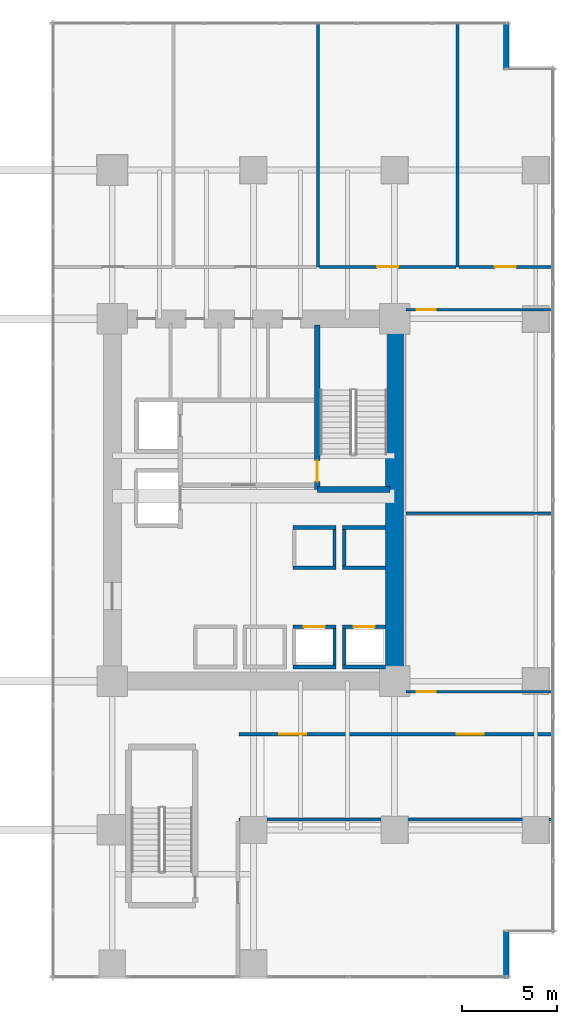
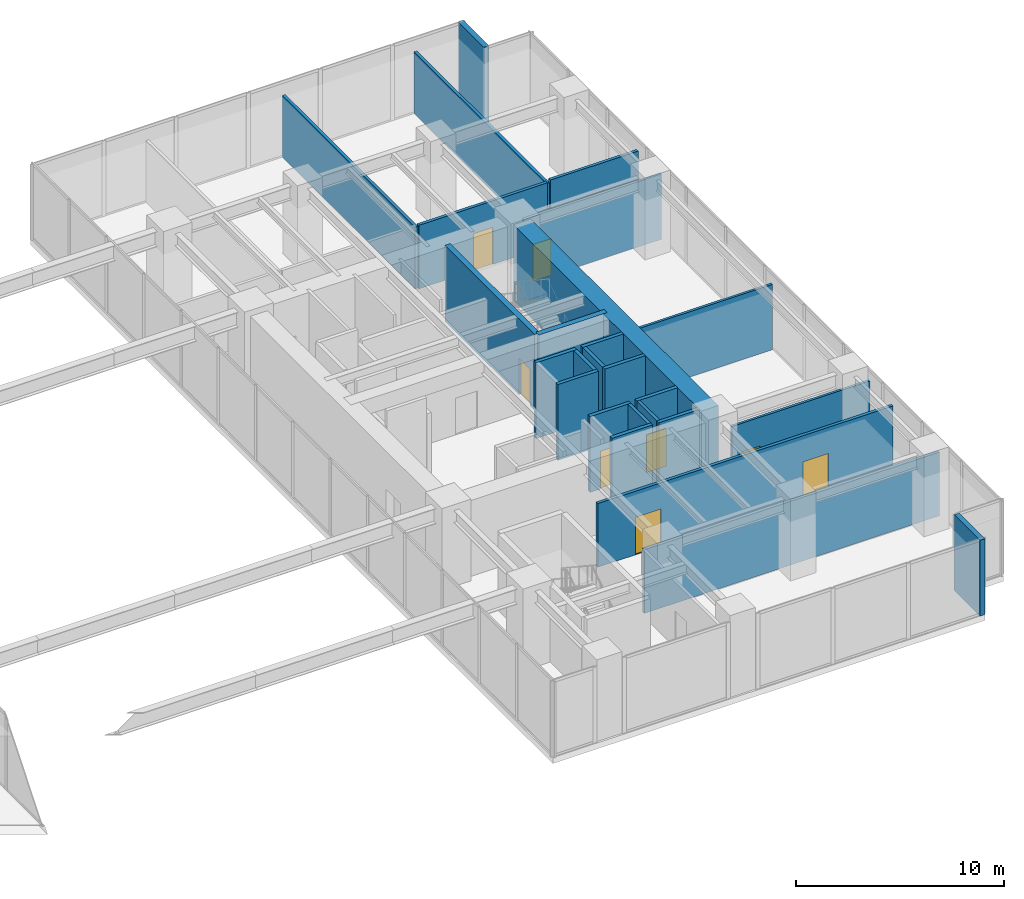
# One storey, part 33 of 39: 26 walls, 9 doors, 9 openings.
"""IFC4 building model written with IfcOpenShell, lengths in metres."""

from ifc_helpers import new_model, si_unit, direction, frame, frame_2d, origin, place, context, subcontext, project, spatial, rectangle, extrude, source, transform, mapped, material, layer, layer_set, type_object, type_shapes, element, fill, save


model = new_model("IFC4")

# Units and contexts
model_context = context("Model", 3, precision=1e-05, world=origin(), true_north=direction((0.0, 1.0)))
body_context = subcontext(model_context, "Body", "Model", "MODEL_VIEW")
ifc_project = project(units=[si_unit("LENGTHUNIT", "METRE"), si_unit("AREAUNIT", "SQUARE_METRE"), si_unit("VOLUMEUNIT", "CUBIC_METRE"), si_unit("PLANEANGLEUNIT", "RADIAN"), si_unit("MASSUNIT", "GRAM", prefix="KILO")], contexts=[model_context])

# Site, building, storey
site_placement = place(None, origin())
site = spatial("IfcSite", under=ifc_project, at=site_placement, CompositionType="ELEMENT")
building_placement = place(site_placement, origin())
building = spatial("IfcBuilding", under=site, at=building_placement, Name="Haelvirn Gate Laboratories", CompositionType="ELEMENT")
storey_placement = place(building_placement, frame((0.0, 0.0, 15.0)))
storey = spatial("IfcBuildingStorey", under=building, at=storey_placement, Name="L04", CompositionType="ELEMENT", Elevation=15.0)

# Walls
ifc_material_1 = material(Name="Thermally-broken bronze aluminium rainscreen & mineral wool", Category="aluminium")
ifc_layer_1 = layer(ifc_material_1, 0.280029296875, Name="EW-TERR-280")
ifc_layer_set_1 = layer_set([ifc_layer_1], Name="Thermally-broken bronze aluminium rainscreen & mineral wool")
wall_type_1 = type_object("IfcWallType", Name="EW-TERR-280", PredefinedType="STANDARD", material=ifc_layer_set_1)
wall_1_placement = place(storey_placement, frame((73.260009765625, -0.800048828125, 0.0), z_axis=(0.0, 0.0, 1.0), x_axis=(0.0, 1.0, 0.0)))
element("IfcWall", 1, at=wall_1_placement, inside=storey, type_object=wall_type_1, Name="L04 Atrium Recess Bronze Return Wall 01", PredefinedType="STANDARD", context=body_context, shape_type="SweptSolid", body=[
    extrude(rectangle(XDim=2.488037109375, YDim=0.280029296875, at=frame_2d((1.244140625, 0.0))), origin(), (0.0, 0.0, 1.0), 4.449951171875),
])
wall_2_placement = place(storey_placement, frame((73.260009765625, 46.912109375, 0.0), z_axis=(0.0, 0.0, 1.0), x_axis=(0.0, 1.0, 0.0)))
element("IfcWall", 2, at=wall_2_placement, inside=storey, type_object=wall_type_1, Name="L04 Atrium Recess Bronze Return Wall 05", PredefinedType="STANDARD", context=body_context, shape_type="SweptSolid", body=[
    extrude(rectangle(XDim=2.48779296875, YDim=0.280029296875, at=frame_2d((1.243896484375, 0.0))), origin(), (0.0, 0.0, 1.0), 4.449951171875),
])
ifc_material_2 = material(Name="Fire-rated acoustic gypsum board partition", Category="gypsum")
ifc_layer_2 = layer(ifc_material_2, 0.175048828125, Name="IW-ACOUST-180")
ifc_layer_set_2 = layer_set([ifc_layer_2], Name="Fire-rated acoustic gypsum board partition")
wall_type_2 = type_object("IfcWallType", Name="IW-ACOUST-180", PredefinedType="PARTITIONING", material=ifc_layer_set_2)
wall_3_placement = place(storey_placement, frame((59.25, 7.550048828125, 0.0), z_axis=(0.0, 0.0, 1.0), x_axis=(1.0, 0.0, 0.0)))
element("IfcWall", 3, at=wall_3_placement, inside=storey, type_object=wall_type_2, Name="L04 Interior Wall IW-L04-AUD-DIV", PredefinedType="PARTITIONING", context=body_context, shape_type="SweptSolid", body=[
    extrude(rectangle(XDim=16.39990234375, YDim=0.175048828125, at=frame_2d((8.199951171875, 0.0))), origin(), (0.0, 0.0, 1.0), 3.735107421875),
])

# Wall, openings, doors
wall_4_placement = place(storey_placement, frame((59.25, 12.02001953125, 0.0), z_axis=(0.0, 0.0, 1.0), x_axis=(1.0, 0.0, 0.0)))
wall_4 = element("IfcWall", 4, at=wall_4_placement, inside=storey, type_object=wall_type_2, Name="L04 Interior Wall IW-L04-AUD-N", PredefinedType="PARTITIONING", context=body_context, shape_type="SweptSolid", body=[
    extrude(rectangle(XDim=16.39990234375, YDim=0.175048828125, at=frame_2d((8.199951171875, 0.0))), origin(), (0.0, 0.0, 1.0), 3.735107421875),
])
opening_1_placement = place(wall_4_placement, frame((2.10009765625, 0.0, 0.0)))
opening_1 = element("IfcOpeningElement", 5, at=opening_1_placement, cuts=wall_4, Name="Opening FD1", PredefinedType="OPENING", context=body_context, shape_type="SweptSolid", body=[
    extrude(rectangle(XDim=1.419921875, YDim=2.199951171875, at=frame_2d((0.7099609375, 1.10009765625))), frame((0.0, 0.09765625, 0.0), z_axis=(0.0, -1.0, 0.0), x_axis=(1.0, 0.0, 0.0)), (0.0, 0.0, 1.0), 0.195068359375),
])
opening_2_placement = place(wall_4_placement, frame((11.39990234375, 0.0, 0.0)))
opening_2 = element("IfcOpeningElement", 6, at=opening_2_placement, cuts=wall_4, Name="Opening FD1", PredefinedType="OPENING", context=body_context, shape_type="SweptSolid", body=[
    extrude(rectangle(XDim=1.419921875, YDim=2.199951171875, at=frame_2d((0.7099609375, 1.10009765625))), frame((0.0, 0.09765625, 0.0), z_axis=(0.0, -1.0, 0.0), x_axis=(1.0, 0.0, 0.0)), (0.0, 0.0, 1.0), 0.195068359375),
])
ifc_material_3 = material(Name="Fire-rated double steel SM355 lobby door", Category="steel")
door_type_1 = type_object("IfcDoorType", Name="DR-FD-1400", OperationType="NOTDEFINED", PredefinedType="DOOR", material=ifc_material_3)
shared_shape_1 = source(origin(), body_context, "Body", "SweptSolid", [
    extrude(rectangle(XDim=1.419921875, YDim=2.199951171875, at=frame_2d((0.7099609375, 1.10009765625))), frame((0.0, 0.02490234375, 0.0), z_axis=(0.0, -1.0, 0.0), x_axis=(1.0, 0.0, 0.0)), (0.0, 0.0, 1.0), 0.050048828125),
])
type_shapes(door_type_1, [shared_shape_1])
door_1_placement = place(opening_1_placement, origin())
door_1 = element("IfcDoor", 7, at=door_1_placement, inside=storey, type_object=door_type_1, Name="L04 Symposium Auditorium West Exit Door", OperationType="DOUBLE_DOOR_SINGLE_SWING", OverallHeight=2.199951171875, OverallWidth=1.419921875, PredefinedType="DOOR", context=body_context, shape_type="MappedRepresentation", body=[
    mapped(shared_shape_1, transform((0.0, 0.0, 0.0), scale=1.0)),
])
fill(opening_1, door_1)
door_2_placement = place(opening_2_placement, origin())
door_2 = element("IfcDoor", 8, at=door_2_placement, inside=storey, type_object=door_type_1, Name="L04 Symposium Auditorium East Exit Door", OperationType="DOUBLE_DOOR_SINGLE_SWING", OverallHeight=2.199951171875, OverallWidth=1.419921875, PredefinedType="DOOR", context=body_context, shape_type="MappedRepresentation", body=[
    mapped(shared_shape_1, transform((0.0, 0.0, 0.0), scale=1.0)),
])
fill(opening_2, door_2)

# Wall
ifc_material_4 = material(Name="Acoustic mineral-wool gypsum board partition", Category="gypsum")
ifc_layer_3 = layer(ifc_material_4, 0.139892578125, Name="IW-PART-140")
ifc_layer_set_3 = layer_set([ifc_layer_3], Name="Acoustic mineral-wool gypsum board partition")
wall_type_3 = type_object("IfcWallType", Name="IW-PART-140", PredefinedType="PARTITIONING", material=ifc_layer_set_3)
wall_5_placement = place(storey_placement, frame((68.0, 23.60009765625, 0.0), z_axis=(0.0, 0.0, 1.0), x_axis=(1.0, 0.0, 0.0)))
element("IfcWall", 9, at=wall_5_placement, inside=storey, type_object=wall_type_3, Name="L04 Interior Wall IW-L04-PODOUT-MID-E", PredefinedType="PARTITIONING", context=body_context, shape_type="SweptSolid", body=[
    extrude(rectangle(XDim=7.64990234375, YDim=0.139892578125, at=frame_2d((3.824951171875, 0.0))), origin(), (0.0, 0.0, 1.0), 3.8349609375),
])

# Wall, opening, door
wall_6_placement = place(storey_placement, frame((68.0, 14.25, 0.0), z_axis=(0.0, 0.0, 1.0), x_axis=(1.0, 0.0, 0.0)))
wall_6 = element("IfcWall", 10, at=wall_6_placement, inside=storey, type_object=wall_type_3, Name="L04 Interior Wall IW-L04-PODOUTW-E-S", PredefinedType="PARTITIONING", context=body_context, shape_type="SweptSolid", body=[
    extrude(rectangle(XDim=7.64990234375, YDim=0.139892578125, at=frame_2d((3.824951171875, 0.0))), origin(), (0.0, 0.0, 1.0), 3.8349609375),
])
opening_3_placement = place(wall_6_placement, frame((0.550048828125, 0.0, 0.0)))
opening_3 = element("IfcOpeningElement", 11, at=opening_3_placement, cuts=wall_6, Name="Opening D2", PredefinedType="OPENING", context=body_context, shape_type="SweptSolid", body=[
    extrude(rectangle(XDim=1.0, YDim=2.14990234375, at=frame_2d((0.5, 1.074951171875))), frame((0.0, 0.080078125, 0.0), z_axis=(0.0, -1.0, 0.0), x_axis=(1.0, 0.0, 0.0)), (0.0, 0.0, 1.0), 0.159912109375),
])
ifc_material_5 = material(Name="Acoustic solid-core timber suite door", Category="wood")
door_type_2 = type_object("IfcDoorType", Name="DR-INT-1000", OperationType="NOTDEFINED", PredefinedType="DOOR", material=ifc_material_5)
shared_shape_2 = source(origin(), body_context, "Body", "SweptSolid", [
    extrude(rectangle(XDim=1.0, YDim=2.14990234375, at=frame_2d((0.5, 1.074951171875))), frame((0.0, 0.02490234375, 0.0), z_axis=(0.0, -1.0, 0.0), x_axis=(1.0, 0.0, 0.0)), (0.0, 0.0, 1.0), 0.050048828125),
])
type_shapes(door_type_2, [shared_shape_2])
door_3_placement = place(opening_3_placement, origin())
door_3 = element("IfcDoor", 12, at=door_3_placement, inside=storey, type_object=door_type_2, Name="L04 Chemical Synthesis Laboratory Outer Wing Door", OperationType="SINGLE_SWING_LEFT", OverallHeight=2.14990234375, OverallWidth=1.0, PredefinedType="DOOR", context=body_context, shape_type="MappedRepresentation", body=[
    mapped(shared_shape_2, transform((0.0, 0.0, 0.0), scale=1.0)),
])
fill(opening_3, door_3)

wall_7_placement = place(storey_placement, frame((68.0, 34.280029296875, 0.0), z_axis=(0.0, 0.0, 1.0), x_axis=(1.0, 0.0, 0.0)))
wall_7 = element("IfcWall", 13, at=wall_7_placement, inside=storey, type_object=wall_type_3, Name="L04 Interior Wall IW-L04-PODOUTW-E-N", PredefinedType="PARTITIONING", context=body_context, shape_type="SweptSolid", body=[
    extrude(rectangle(XDim=7.64990234375, YDim=0.139892578125, at=frame_2d((3.824951171875, 0.0))), origin(), (0.0, 0.0, 1.0), 3.8349609375),
])
opening_4_placement = place(wall_7_placement, frame((0.550048828125, 0.0, 0.0)))
opening_4 = element("IfcOpeningElement", 14, at=opening_4_placement, cuts=wall_7, Name="Opening D2", PredefinedType="OPENING", context=body_context, shape_type="SweptSolid", body=[
    extrude(rectangle(XDim=1.0, YDim=2.14990234375, at=frame_2d((0.5, 1.074951171875))), frame((0.0, 0.080078125, 0.0), z_axis=(0.0, -1.0, 0.0), x_axis=(1.0, 0.0, 0.0)), (0.0, 0.0, 1.0), 0.159912109375),
])
door_4_placement = place(opening_4_placement, origin())
door_4 = element("IfcDoor", 15, at=door_4_placement, inside=storey, type_object=door_type_2, Name="L04 Computational Write-Up Office Outer Wing Door", OperationType="SINGLE_SWING_RIGHT", OverallHeight=2.14990234375, OverallWidth=1.0, PredefinedType="DOOR", context=body_context, shape_type="MappedRepresentation", body=[
    mapped(shared_shape_2, transform((0.0, 0.0, 0.0), scale=1.0)),
])
fill(opening_4, door_4)

# Wall
ifc_material_6 = material(Name="Moisture-resistant gypsum laboratory partition", Category="gypsum")
ifc_layer_4 = layer(ifc_material_6, 0.1650390625, Name="IW-PART-160")
ifc_layer_set_4 = layer_set([ifc_layer_4], Name="Moisture-resistant gypsum laboratory partition")
wall_type_4 = type_object("IfcWallType", Name="IW-PART-160", PredefinedType="PARTITIONING", material=ifc_layer_set_4)
wall_8_placement = place(storey_placement, frame((63.383056640625, 36.52001953125, 0.0), z_axis=(0.0, 0.0, 1.0), x_axis=(0.0, 1.0, 0.0)))
element("IfcWall", 16, at=wall_8_placement, inside=storey, type_object=wall_type_4, Name="L04 Interior Wall IW-L04-PODNDIV-E-2", PredefinedType="PARTITIONING", context=body_context, shape_type="SweptSolid", body=[
    extrude(rectangle(XDim=12.77001953125, YDim=0.1650390625, at=frame_2d((6.385009765625, 0.0))), origin(), (0.0, 0.0, 1.0), 3.635009765625),
])

# Wall, opening, door
wall_9_placement = place(storey_placement, frame((63.462890625, 36.52001953125, 0.0), z_axis=(0.0, 0.0, 1.0), x_axis=(1.0, 0.0, 0.0)))
wall_9 = element("IfcWall", 17, at=wall_9_placement, inside=storey, type_object=wall_type_4, Name="L04 Interior Wall IW-L04-PODN-E-3", PredefinedType="PARTITIONING", context=body_context, shape_type="SweptSolid", body=[
    extrude(rectangle(XDim=7.148193359375, YDim=0.1650390625, at=frame_2d((3.57421875, 0.0))), origin(), (0.0, 0.0, 1.0), 3.735107421875),
])
opening_5_placement = place(wall_9_placement, frame((3.02392578125, 0.0, 0.0)))
opening_5 = element("IfcOpeningElement", 18, at=opening_5_placement, cuts=wall_9, Name="Opening D1", PredefinedType="OPENING", context=body_context, shape_type="SweptSolid", body=[
    extrude(rectangle(XDim=1.10009765625, YDim=2.179931640625, at=frame_2d((0.550048828125, 1.08984375))), frame((0.0, 0.092529296875, 0.0), z_axis=(0.0, -1.0, 0.0), x_axis=(1.0, 0.0, 0.0)), (0.0, 0.0, 1.0), 0.18505859375),
])
ifc_material_7 = material(Name="Vision-panel acoustic solid-core timber lab door", Category="wood")
door_type_3 = type_object("IfcDoorType", Name="DR-LAB-1100", OperationType="NOTDEFINED", PredefinedType="DOOR", material=ifc_material_7)
shared_shape_3 = source(origin(), body_context, "Body", "SweptSolid", [
    extrude(rectangle(XDim=1.10009765625, YDim=2.179931640625, at=frame_2d((0.550048828125, 1.08984375))), frame((0.0, 0.02490234375, 0.0), z_axis=(0.0, -1.0, 0.0), x_axis=(1.0, 0.0, 0.0)), (0.0, 0.0, 1.0), 0.050048828125),
])
type_shapes(door_type_3, [shared_shape_3])
door_5_placement = place(opening_5_placement, origin())
door_5 = element("IfcDoor", 19, at=door_5_placement, inside=storey, type_object=door_type_3, Name="L04 Computational Write-Up Office North Door", OperationType="SINGLE_SWING_RIGHT", OverallHeight=2.179931640625, OverallWidth=1.10009765625, PredefinedType="DOOR", context=body_context, shape_type="MappedRepresentation", body=[
    mapped(shared_shape_3, transform((0.0, 0.0, 0.0), scale=1.0)),
])
fill(opening_5, door_5)

# Wall
wall_10_placement = place(storey_placement, frame((70.69091796875, 36.52001953125, 0.0), z_axis=(0.0, 0.0, 1.0), x_axis=(0.0, 1.0, 0.0)))
element("IfcWall", 20, at=wall_10_placement, inside=storey, type_object=wall_type_4, Name="L04 Interior Wall IW-L04-PODNDIV-E-3", PredefinedType="PARTITIONING", context=body_context, shape_type="SweptSolid", body=[
    extrude(rectangle(XDim=12.77001953125, YDim=0.1650390625, at=frame_2d((6.385009765625, 0.0))), origin(), (0.0, 0.0, 1.0), 3.635009765625),
])

# Wall, opening, door
wall_11_placement = place(storey_placement, frame((70.77099609375, 36.52001953125, 0.0), z_axis=(0.0, 0.0, 1.0), x_axis=(1.0, 0.0, 0.0)))
wall_11 = element("IfcWall", 21, at=wall_11_placement, inside=storey, type_object=wall_type_4, Name="L04 Interior Wall IW-L04-PODN-E-4", PredefinedType="PARTITIONING", context=body_context, shape_type="SweptSolid", body=[
    extrude(rectangle(XDim=4.87890625, YDim=0.1650390625, at=frame_2d((2.439453125, 0.0))), origin(), (0.0, 0.0, 1.0), 3.8349609375),
])
opening_6_placement = place(wall_11_placement, frame((1.889404296875, 0.0, 0.0)))
opening_6 = element("IfcOpeningElement", 22, at=opening_6_placement, cuts=wall_11, Name="Opening D1", PredefinedType="OPENING", context=body_context, shape_type="SweptSolid", body=[
    extrude(rectangle(XDim=1.10009765625, YDim=2.179931640625, at=frame_2d((0.550048828125, 1.08984375))), frame((0.0, 0.092529296875, 0.0), z_axis=(0.0, -1.0, 0.0), x_axis=(1.0, 0.0, 0.0)), (0.0, 0.0, 1.0), 0.18505859375),
])
door_6_placement = place(opening_6_placement, origin())
door_6 = element("IfcDoor", 23, at=door_6_placement, inside=storey, type_object=door_type_3, Name="L04 Research Seminar & Review Room North Door", OperationType="SINGLE_SWING_LEFT", OverallHeight=2.179931640625, OverallWidth=1.10009765625, PredefinedType="DOOR", context=body_context, shape_type="MappedRepresentation", body=[
    mapped(shared_shape_3, transform((0.0, 0.0, 0.0), scale=1.0)),
])
fill(opening_6, door_6)

# Walls
ifc_material_8 = material(Name="Concrete C40/50", Category="concrete")
ifc_layer_5 = layer(ifc_material_8, 0.179931640625, Name="IW-SHAFT-180")
ifc_layer_set_5 = layer_set([ifc_layer_5], Name="Concrete C40/50")
wall_type_5 = type_object("IfcWallType", Name="IW-SHAFT-180", PredefinedType="SOLIDWALL", material=ifc_layer_set_5)
for number, where, z_axis, x_axis, name in (
    (24, (64.75, 15.64990234375, 0.0), (0.0, 0.0, 1.0), (0.0, 1.0, 0.0), "L04 Interior Wall IW-L04-PL3-SD"),
    (25, (64.25, 15.64990234375, 0.0), (0.0, 0.0, 1.0), (0.0, 1.0, 0.0), "L04 Interior Wall IW-L04-PL4-SDE"),
):
    element("IfcWall", number, at=place(storey_placement, frame(where, z_axis=z_axis, x_axis=x_axis)), inside=storey, type_object=wall_type_5, Name=name, PredefinedType="SOLIDWALL", context=body_context, shape_type="SweptSolid", body=[
        extrude(rectangle(XDim=1.900146484375, YDim=0.179931640625, at=frame_2d((0.9501953125, 0.0))), origin(), (0.0, 0.0, 1.0), 4.449951171875),
    ])
for number, where, z_axis, x_axis, name in (
    (26, (64.75, 20.85009765625, 0.0), (0.0, 0.0, 1.0), (0.0, 1.0, 0.0), "L04 Interior Wall IW-L04-PL11-SD"),
    (27, (64.25, 20.85009765625, 0.0), (0.0, 0.0, 1.0), (0.0, 1.0, 0.0), "L04 Interior Wall IW-L04-PL12-SDE"),
):
    element("IfcWall", number, at=place(storey_placement, frame(where, z_axis=z_axis, x_axis=x_axis)), inside=storey, type_object=wall_type_5, Name=name, PredefinedType="SOLIDWALL", context=body_context, shape_type="SweptSolid", body=[
        extrude(rectangle(XDim=1.89990234375, YDim=0.179931640625, at=frame_2d((0.949951171875, 0.0))), origin(), (0.0, 0.0, 1.0), 4.449951171875),
    ])

# Wall, opening, door
ifc_layer_6 = layer(ifc_material_8, 0.199951171875, Name="IW-SHAFT-200")
ifc_layer_set_6 = layer_set([ifc_layer_6], Name="Concrete C40/50")
wall_type_6 = type_object("IfcWallType", Name="IW-SHAFT-200", PredefinedType="SOLIDWALL", material=ifc_layer_set_6)
wall_12_placement = place(storey_placement, frame((64.669921875, 17.64990234375, 0.0), z_axis=(0.0, 0.0, 1.0), x_axis=(1.0, 0.0, 0.0)))
wall_12 = element("IfcWall", 28, at=wall_12_placement, inside=storey, type_object=wall_type_6, Name="L04 Interior Wall IW-L04-PL3-FR", PredefinedType="SOLIDWALL", context=body_context, shape_type="SweptSolid", body=[
    extrude(rectangle(XDim=2.260009765625, YDim=0.199951171875, at=frame_2d((1.1298828125, 0.0))), origin(), (0.0, 0.0, 1.0), 4.449951171875),
])
opening_7_placement = place(wall_12_placement, frame((0.580078125, 0.0, 0.0)))
opening_7 = element("IfcOpeningElement", 29, at=opening_7_placement, cuts=wall_12, Name="Opening LD2", PredefinedType="OPENING", context=body_context, shape_type="SweptSolid", body=[
    extrude(rectangle(XDim=1.10009765625, YDim=2.219970703125, at=frame_2d((0.550048828125, 1.10986328125))), frame((0.0, 0.10986328125, 0.0), z_axis=(0.0, -1.0, 0.0), x_axis=(1.0, 0.0, 0.0)), (0.0, 0.0, 1.0), 0.219970703125),
])
ifc_material_9 = material(Name="Bronze stainless 316L sliding lift landing door")
door_type_4 = type_object("IfcDoorType", Name="DR-LD-1100", OperationType="NOTDEFINED", PredefinedType="USERDEFINED", material=ifc_material_9)
shared_shape_4 = source(origin(), body_context, "Body", "SweptSolid", [
    extrude(rectangle(XDim=1.10009765625, YDim=2.219970703125, at=frame_2d((0.550048828125, 1.10986328125))), frame((0.0, 0.02490234375, 0.0), z_axis=(0.0, -1.0, 0.0), x_axis=(1.0, 0.0, 0.0)), (0.0, 0.0, 1.0), 0.050048828125),
])
type_shapes(door_type_4, [shared_shape_4])
door_7_placement = place(opening_7_placement, origin())
door_7 = element("IfcDoor", 30, at=door_7_placement, inside=storey, type_object=door_type_4, Name="L04 Passenger Lift PL3 Landing Door", ObjectType="LANDING_DOOR", OperationType="SLIDING_TO_LEFT", OverallHeight=2.219970703125, OverallWidth=1.10009765625, PredefinedType="USERDEFINED", context=body_context, shape_type="MappedRepresentation", body=[
    mapped(shared_shape_4, transform((0.0, 0.0, 0.0), scale=1.0)),
])
fill(opening_7, door_7)

# Wall
wall_13_placement = place(storey_placement, frame((64.669921875, 15.550048828125, 0.0), z_axis=(0.0, 0.0, 1.0), x_axis=(1.0, 0.0, 0.0)))
element("IfcWall", 31, at=wall_13_placement, inside=storey, type_object=wall_type_6, Name="L04 Interior Wall IW-L04-PL3-BK", PredefinedType="SOLIDWALL", context=body_context, shape_type="SweptSolid", body=[
    extrude(rectangle(XDim=2.260009765625, YDim=0.199951171875, at=frame_2d((1.1298828125, 0.0))), origin(), (0.0, 0.0, 1.0), 4.449951171875),
])

# Wall, opening, door
wall_14_placement = place(storey_placement, frame((62.070068359375, 17.64990234375, 0.0), z_axis=(0.0, 0.0, 1.0), x_axis=(1.0, 0.0, 0.0)))
wall_14 = element("IfcWall", 32, at=wall_14_placement, inside=storey, type_object=wall_type_6, Name="L04 Interior Wall IW-L04-PL4-FR", PredefinedType="SOLIDWALL", context=body_context, shape_type="SweptSolid", body=[
    extrude(rectangle(XDim=2.260009765625, YDim=0.199951171875, at=frame_2d((1.1298828125, 0.0))), origin(), (0.0, 0.0, 1.0), 4.449951171875),
])
opening_8_placement = place(wall_14_placement, frame((0.580078125, 0.0, 0.0)))
opening_8 = element("IfcOpeningElement", 33, at=opening_8_placement, cuts=wall_14, Name="Opening LD2", PredefinedType="OPENING", context=body_context, shape_type="SweptSolid", body=[
    extrude(rectangle(XDim=1.10009765625, YDim=2.219970703125, at=frame_2d((0.550048828125, 1.10986328125))), frame((0.0, 0.10986328125, 0.0), z_axis=(0.0, -1.0, 0.0), x_axis=(1.0, 0.0, 0.0)), (0.0, 0.0, 1.0), 0.219970703125),
])
door_8_placement = place(opening_8_placement, origin())
door_8 = element("IfcDoor", 34, at=door_8_placement, inside=storey, type_object=door_type_4, Name="L04 Passenger Lift PL4 Landing Door", ObjectType="LANDING_DOOR", OperationType="SLIDING_TO_RIGHT", OverallHeight=2.219970703125, OverallWidth=1.10009765625, PredefinedType="USERDEFINED", context=body_context, shape_type="MappedRepresentation", body=[
    mapped(shared_shape_4, transform((0.0, 0.0, 0.0), scale=1.0)),
])
fill(opening_8, door_8)

# Walls
for number, where, z_axis, x_axis, name in (
    (35, (62.070068359375, 15.550048828125, 0.0), (0.0, 0.0, 1.0), (1.0, 0.0, 0.0), "L04 Interior Wall IW-L04-PL4-BK"),
    (36, (64.669921875, 20.75, 0.0), (0.0, 0.0, 1.0), (1.0, 0.0, 0.0), "L04 Interior Wall IW-L04-PL11-FR"),
    (37, (64.669921875, 22.85009765625, 0.0), (0.0, 0.0, 1.0), (1.0, 0.0, 0.0), "L04 Interior Wall IW-L04-PL11-BK"),
    (38, (62.070068359375, 20.75, 0.0), (0.0, 0.0, 1.0), (1.0, 0.0, 0.0), "L04 Interior Wall IW-L04-PL12-FR"),
    (39, (62.070068359375, 22.85009765625, 0.0), (0.0, 0.0, 1.0), (1.0, 0.0, 0.0), "L04 Interior Wall IW-L04-PL12-BK"),
):
    element("IfcWall", number, at=place(storey_placement, frame(where, z_axis=z_axis, x_axis=x_axis)), inside=storey, type_object=wall_type_6, Name=name, PredefinedType="SOLIDWALL", context=body_context, shape_type="SweptSolid", body=[
        extrude(rectangle(XDim=2.260009765625, YDim=0.199951171875, at=frame_2d((1.1298828125, 0.0))), origin(), (0.0, 0.0, 1.0), 4.449951171875),
    ])
ifc_material_10 = material(Name="Concrete C70/85", Category="concrete")
ifc_layer_7 = layer(ifc_material_10, 0.949951171875, Name="SW-CORE-950")
ifc_layer_set_7 = layer_set([ifc_layer_7], Name="Concrete C70/85")
wall_type_7 = type_object("IfcWallType", Name="SW-CORE-950", PredefinedType="SHEAR", material=ifc_layer_set_7)
wall_15_placement = place(storey_placement, frame((67.39990234375, 15.27490234375, 0.0), z_axis=(0.0, 0.0, 1.0), x_axis=(0.0, 1.0, 0.0)))
element("IfcWall", 40, at=wall_15_placement, inside=storey, type_object=wall_type_7, Name="L04 E Core Shear Wall E", PredefinedType="SHEAR", context=body_context, shape_type="SweptSolid", body=[
    extrude(rectangle(XDim=18.050048828125, YDim=0.949951171875, at=frame_2d((9.02490234375, 0.0))), origin(), (0.0, 0.0, 1.0), 4.449951171875),
])

# Wall, opening, door
ifc_material_11 = material(Name="Concrete C50/60", Category="concrete")
ifc_layer_8 = layer(ifc_material_11, 0.300048828125, Name="SW-STAIR-300")
ifc_layer_set_8 = layer_set([ifc_layer_8], Name="Concrete C50/60")
wall_type_8 = type_object("IfcWallType", Name="SW-STAIR-300", PredefinedType="SHEAR", material=ifc_layer_set_8)
wall_16_placement = place(storey_placement, frame((63.35009765625, 24.85009765625, 0.0), z_axis=(0.0, 0.0, 1.0), x_axis=(0.0, 1.0, 0.0)))
wall_16 = element("IfcWall", 41, at=wall_16_placement, inside=storey, type_object=wall_type_8, Name="L04 E Core Stair Shaft Structural Wall IN", PredefinedType="SHEAR", context=body_context, shape_type="SweptSolid", body=[
    extrude(rectangle(XDim=8.6298828125, YDim=0.300048828125, at=frame_2d((4.31494140625, 0.0))), origin(), (0.0, 0.0, 1.0), 4.449951171875),
])
opening_9_placement = place(wall_16_placement, frame((0.419921875, 0.0, 0.0)))
opening_9 = element("IfcOpeningElement", 42, at=opening_9_placement, cuts=wall_16, Name="Opening FD3", PredefinedType="OPENING", context=body_context, shape_type="SweptSolid", body=[
    extrude(rectangle(XDim=1.10009765625, YDim=2.14990234375, at=frame_2d((0.550048828125, 1.074951171875))), frame((0.0, 0.16015625, 0.0), z_axis=(0.0, -1.0, 0.0), x_axis=(1.0, 0.0, 0.0)), (0.0, 0.0, 1.0), 0.320068359375),
])
ifc_material_12 = material(Name="Fire-rated steel SM355 escape stair door", Category="steel")
door_type_5 = type_object("IfcDoorType", Name="DR-FD-1100", OperationType="NOTDEFINED", PredefinedType="DOOR", material=ifc_material_12)
shared_shape_5 = source(origin(), body_context, "Body", "SweptSolid", [
    extrude(rectangle(XDim=1.10009765625, YDim=2.14990234375, at=frame_2d((0.550048828125, 1.074951171875))), frame((0.0, 0.02490234375, 0.0), z_axis=(0.0, -1.0, 0.0), x_axis=(1.0, 0.0, 0.0)), (0.0, 0.0, 1.0), 0.050048828125),
])
type_shapes(door_type_5, [shared_shape_5])
door_9_placement = place(opening_9_placement, origin())
door_9 = element("IfcDoor", 43, at=door_9_placement, inside=storey, type_object=door_type_5, Name="L04 Escape Stair ST2 Fire Door", OperationType="SINGLE_SWING_RIGHT", OverallHeight=2.14990234375, OverallWidth=1.10009765625, PredefinedType="DOOR", context=body_context, shape_type="MappedRepresentation", body=[
    mapped(shared_shape_5, transform((0.0, 0.0, 0.0), scale=1.0)),
])
fill(opening_9, door_9)

# Wall
wall_17_placement = place(storey_placement, frame((63.35009765625, 24.85009765625, 0.0), z_axis=(0.0, 0.0, 1.0), x_axis=(1.0, 0.0, 0.0)))
element("IfcWall", 44, at=wall_17_placement, inside=storey, type_object=wall_type_8, Name="L04 E Core Stair Shaft Structural Wall S", PredefinedType="SHEAR", context=body_context, shape_type="SweptSolid", body=[
    extrude(rectangle(XDim=3.7998046875, YDim=0.300048828125, at=frame_2d((1.89990234375, 0.0))), origin(), (0.0, 0.0, 1.0), 4.449951171875),
])

save(model, "model.ifc")
